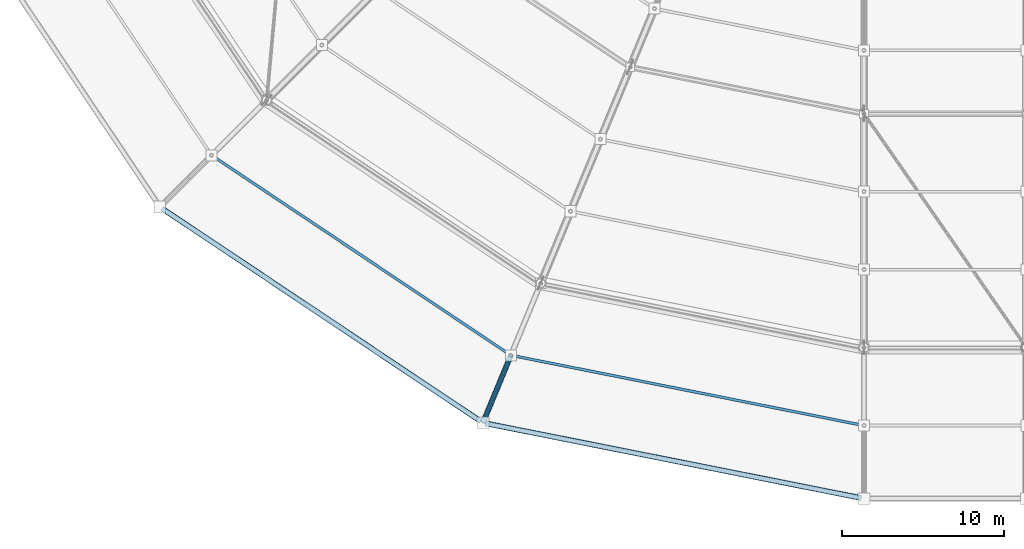
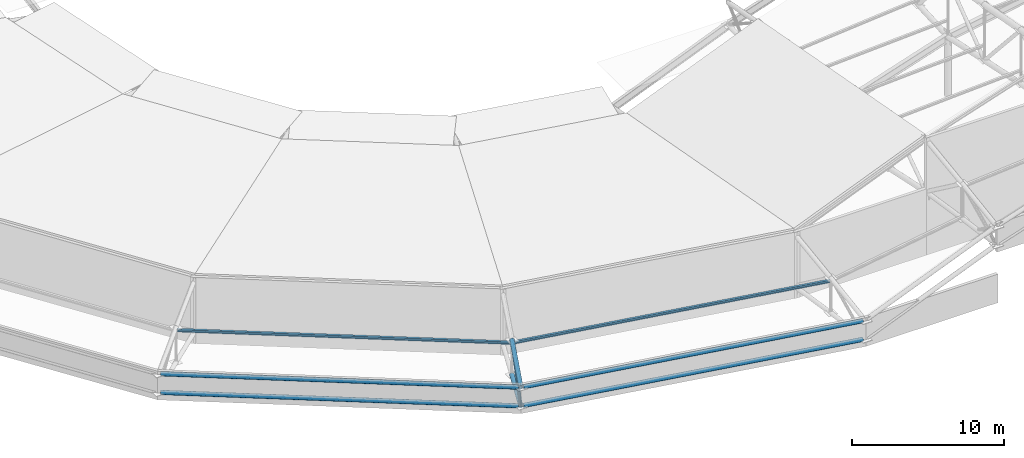
# One storey, part 15 of 146: 10 members.
"""IFC4 building model written with IfcOpenShell, lengths in metres."""

from ifc_helpers import new_model, si_unit, direction, frame, origin, origin_2d, place, context, subcontext, project, spatial, hollow_circle, i_section, extrude, material, material_profile, profile_set, type_object, element, save


model = new_model("IFC4")

# Units and contexts
model_context = context("Model", 3, precision=1e-05, world=origin(), true_north=direction((0.0, 1.0)))
body_context = subcontext(model_context, "Body", "Model", "MODEL_VIEW")
ifc_project = project(units=[si_unit("LENGTHUNIT", "METRE"), si_unit("AREAUNIT", "SQUARE_METRE"), si_unit("VOLUMEUNIT", "CUBIC_METRE"), si_unit("PLANEANGLEUNIT", "RADIAN"), si_unit("MASSUNIT", "GRAM", prefix="KILO")], contexts=[model_context])

# Site, building, storey
site_placement = place(None, origin())
site = spatial("IfcSite", under=ifc_project, at=site_placement, CompositionType="ELEMENT")
building_placement = place(site_placement, origin())
building = spatial("IfcBuilding", under=site, at=building_placement, Name="Candeia Ridge Stadium", CompositionType="ELEMENT")
storey_placement = place(building_placement, frame((0.0, 0.0, 31.800048828125)))
storey = spatial("IfcBuildingStorey", under=building, at=storey_placement, Name="RF", CompositionType="ELEMENT", Elevation=31.800048828125)

# Members
ifc_material = material(Name="Steel ASTM A572 Grade 50", Category="steel")
ifc_material_profile_1 = material_profile(ifc_material, i_section(OverallWidth=0.1650390625, OverallDepth=0.200927734375, WebThickness=0.006103515625, FlangeThickness=0.01025390625, FilletRadius=0.010009765625, at=origin_2d()), Name="W200x35.9", Category="steel")
ifc_profile_set_1 = profile_set([ifc_material_profile_1], Name="Steel ASTM A572 Grade 50")
member_type_1 = type_object("IfcMemberType", Name="Roof Purlin W200x35.9", PredefinedType="PURLIN", material=ifc_profile_set_1)
for number, where, z_axis, x_axis, name in (
    (1, (30.8779296875, 30.80859375, 3.73828125), (0.83146929699, -0.555570704918, 0.0), (0.555570704918, 0.83146929699, 0.0), "Saddle roof steel purlin bay 17-5"),
    (2, (49.3125, 18.513916015625, 3.73828125), (0.980784861231, -0.195092429325, 0.0), (0.195092429325, 0.980784861231, 0.0), "Saddle roof steel purlin bay 18-5"),
):
    element("IfcMember", number, at=place(storey_placement, frame(where, z_axis=z_axis, x_axis=x_axis)), inside=storey, type_object=member_type_1, Name=name, PredefinedType="PURLIN", context=body_context, shape_type="SweptSolid", body=[
        extrude(i_section(OverallWidth=0.1650390625, OverallDepth=0.200927734375, WebThickness=0.006103515625, FlangeThickness=0.01025390625, FilletRadius=0.010009765625, at=origin_2d()), origin(), (0.0, 0.0, 1.0), 22.062255859375),
    ])
ifc_material_profile_2 = material_profile(ifc_material, hollow_circle(Radius=0.161865234375, WallThickness=0.012451171875, at=origin_2d()), Name="CHS323x12", Category="steel")
ifc_profile_set_2 = profile_set([ifc_material_profile_2], Name="Steel ASTM A572 Grade 50")
member_type_2 = type_object("IfcMemberType", Name="Roof Truss Eaves Chord CHS323x12", PredefinedType="CHORD", material=ifc_profile_set_2)
for number, where, z_axis, x_axis, name in (
    (3, (27.787353515625, 27.5654296875, 3.281005859375), (0.831470476236, -0.555568940049, 0.0), (0.555568940049, 0.831470476236, 0.0), "Saddle roof outer eaves top ring chord bay 17"),
    (4, (27.787353515625, 27.5654296875, 1.781005859375), (0.831470476236, -0.555568940049, 0.0), (0.555568940049, 0.831470476236, 0.0), "Saddle roof outer eaves bottom ring chord bay 17"),
):
    element("IfcMember", number, at=place(storey_placement, frame(where, z_axis=z_axis, x_axis=x_axis)), inside=storey, type_object=member_type_2, Name=name, PredefinedType="CHORD", context=body_context, shape_type="SweptSolid", body=[
        extrude(hollow_circle(Radius=0.161865234375, WallThickness=0.012451171875, at=origin_2d()), origin(), (0.0, 0.0, 1.0), 23.59814453125),
    ])
member_1_placement = place(storey_placement, frame((49.263671875, 18.523681640625, 3.958251953125), z_axis=(-0.378438250885, -0.913584487427, -0.148821620067), x_axis=(0.923872679915, -0.382699975578, 0.0)))
element("IfcMember", 5, at=member_1_placement, inside=storey, type_object=member_type_2, Name="Roof cantilever truss RT-18 top chord 8", PredefinedType="CHORD", context=body_context, shape_type="SweptSolid", body=[
    extrude(hollow_circle(Radius=0.161865234375, WallThickness=0.012451171875, at=origin_2d()), origin(), (0.0, 0.0, 1.0), 4.55078125),
])
member_2_placement = place(storey_placement, frame((49.263671875, 18.523681640625, 1.15185546875), z_axis=(-0.379013657665, -0.914973571928, 0.138463027474), x_axis=(0.923872679915, -0.382699975578, 0.0)))
element("IfcMember", 6, at=member_2_placement, inside=storey, type_object=member_type_2, Name="Roof cantilever truss RT-18 bottom chord 8", PredefinedType="CHORD", context=body_context, shape_type="SweptSolid", body=[
    extrude(hollow_circle(Radius=0.161865234375, WallThickness=0.012451171875, at=origin_2d()), origin(), (0.0, 0.0, 1.0), 4.543701171875),
])
for number, where, z_axis, x_axis, name in (
    (7, (47.698486328125, 14.3349609375, 3.281005859375), (0.980785067453, -0.195091392584, 0.0), (0.195091392584, 0.980785067453, 0.0), "Saddle roof outer eaves top ring chord bay 18"),
    (8, (47.698486328125, 14.3349609375, 1.781005859375), (0.980785067453, -0.195091392584, 0.0), (0.195091392584, 0.980785067453, 0.0), "Saddle roof outer eaves bottom ring chord bay 18"),
):
    element("IfcMember", number, at=place(storey_placement, frame(where, z_axis=z_axis, x_axis=x_axis)), inside=storey, type_object=member_type_2, Name=name, PredefinedType="CHORD", context=body_context, shape_type="SweptSolid", body=[
        extrude(hollow_circle(Radius=0.161865234375, WallThickness=0.012451171875, at=origin_2d()), origin(), (0.0, 0.0, 1.0), 23.597900390625),
    ])
ifc_material_profile_3 = material_profile(ifc_material, hollow_circle(Radius=0.109619140625, WallThickness=0.010009765625, at=origin_2d()), Name="CHS219x10", Category="steel")
ifc_profile_set_3 = profile_set([ifc_material_profile_3], Name="Steel ASTM A572 Grade 50")
member_type_3 = type_object("IfcMemberType", Name="Roof Truss Inner Web Brace CHS219x10", PredefinedType="BRACE", material=ifc_profile_set_3)
member_3_placement = place(storey_placement, frame((49.263671875, 18.523681640625, 3.958251953125), z_axis=(-0.344496809804, -0.831646749952, -0.435529139472), x_axis=(0.923872679915, -0.382699975578, 0.0)))
element("IfcMember", 9, at=member_3_placement, inside=storey, type_object=member_type_3, Name="Roof cantilever truss RT-18 diagonal web 8", PredefinedType="BRACE", context=body_context, shape_type="SweptSolid", body=[
    extrude(hollow_circle(Radius=0.109619140625, WallThickness=0.010009765625, at=origin_2d()), origin(), (0.0, 0.0, 1.0), 4.9990234375),
])
member_4_placement = place(storey_placement, frame((48.488525390625, 16.65283203125, 1.43505859375), z_axis=(-0.306721963062, -0.740592396504, 0.597866657054), x_axis=(0.923897814256, -0.382639293348, 0.0)))
element("IfcMember", 10, at=member_4_placement, inside=storey, type_object=member_type_3, Name="Roof cantilever truss RT-18 vertical post 8", PredefinedType="BRACE", context=body_context, shape_type="SweptSolid", body=[
    extrude(hollow_circle(Radius=0.109619140625, WallThickness=0.010009765625, at=origin_2d()), origin(), (0.0, 0.0, 1.0), 3.087646484375),
])

save(model, "model.ifc")
